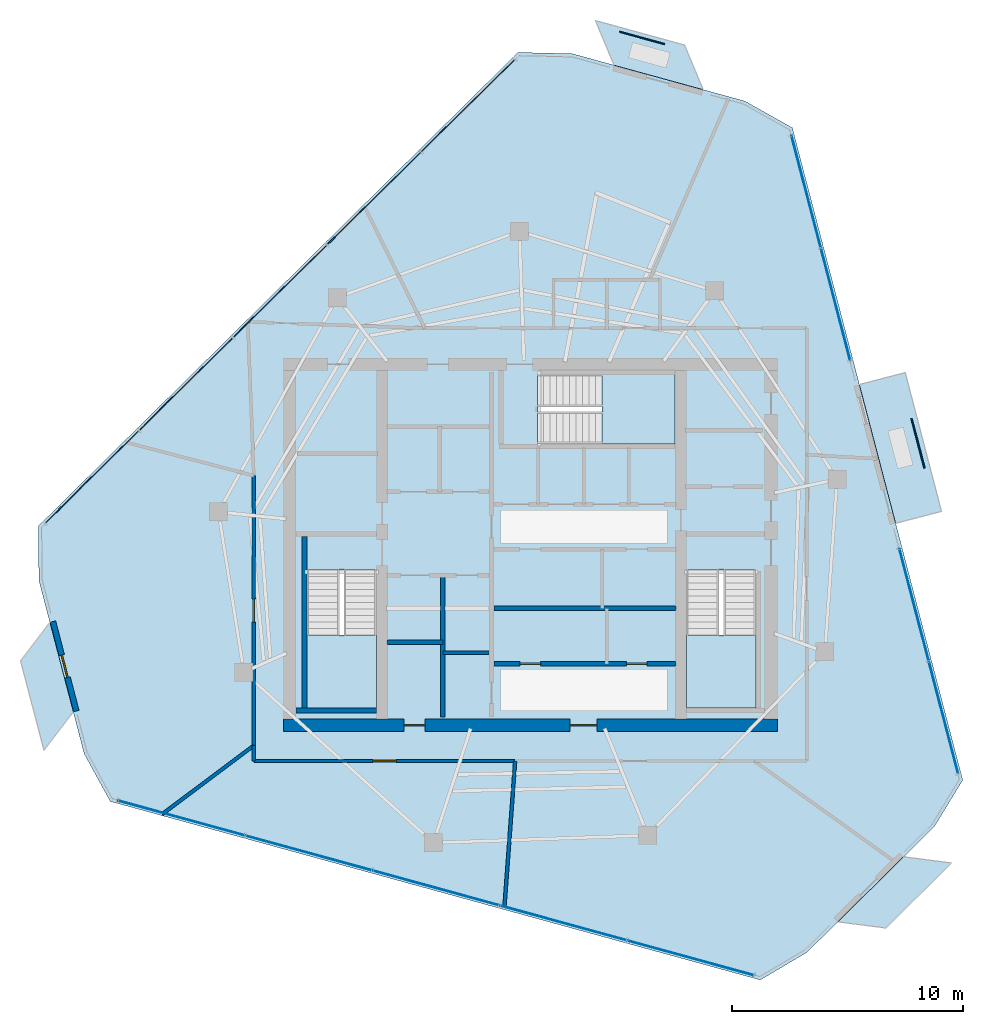
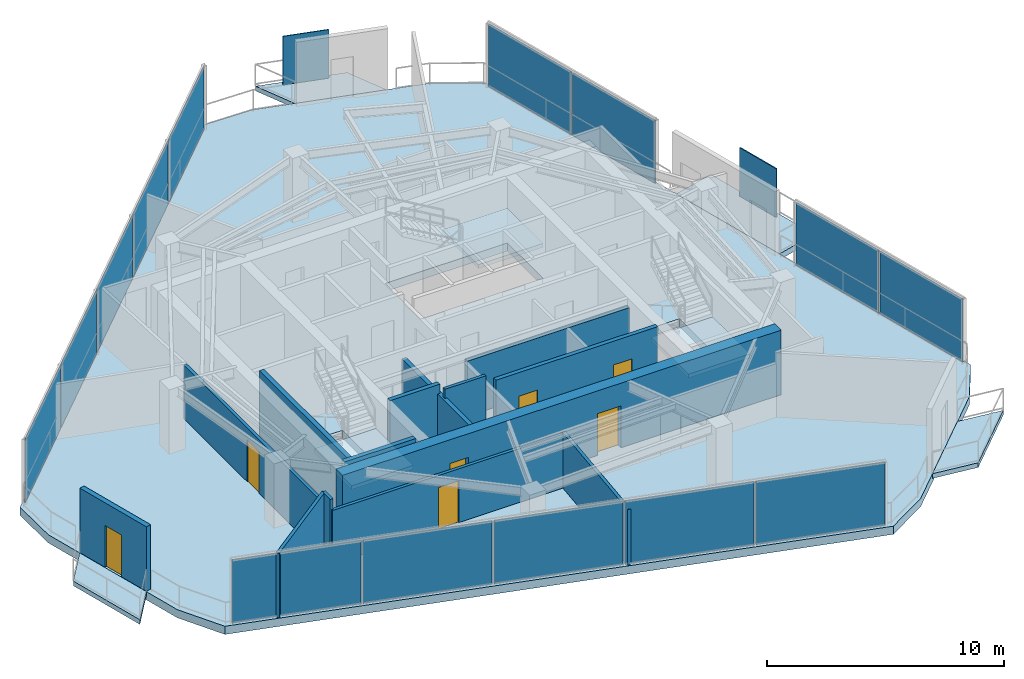
# One storey, part 14 of 19: 16 plates, 14 walls, 8 slabs, 7 doors, 7 openings, 7 elements without a shape of their own.
"""IFC4 building model written with IfcOpenShell, lengths in metres."""

from ifc_helpers import new_model, si_unit, direction, frame, frame_2d, origin, origin_2d, place, context, subcontext, project, spatial, polyline, rectangle, outline, extrude, material, layer, layer_set, type_object, element, fill, aggregate, save


model = new_model("IFC4")

# Units and contexts
model_context = context("Model", 3, precision=1e-05, world=origin(), true_north=direction((0.0, 1.0)))
body_context = subcontext(model_context, "Body", "Model", "MODEL_VIEW")
ifc_project = project(units=[si_unit("LENGTHUNIT", "METRE"), si_unit("AREAUNIT", "SQUARE_METRE"), si_unit("VOLUMEUNIT", "CUBIC_METRE"), si_unit("PLANEANGLEUNIT", "RADIAN"), si_unit("MASSUNIT", "GRAM", prefix="KILO")], contexts=[model_context])

# Site, building, storey
site_placement = place(None, origin())
site = spatial("IfcSite", under=ifc_project, at=site_placement, CompositionType="ELEMENT")
building_placement = place(site_placement, origin())
building = spatial("IfcBuilding", under=site, at=building_placement, Name="Qarnah Convention Tower", CompositionType="ELEMENT")
storey_placement = place(building_placement, frame((0.0, 0.0, 235.5)))
storey = spatial("IfcBuildingStorey", under=building, at=storey_placement, Name="L63", CompositionType="ELEMENT", Elevation=235.5)

# Curtain wall, plates
ifc_material_1 = material(Name="Tempered Low-E dark glass", Category="glass")
ifc_layer_1 = layer(ifc_material_1, 0.176025390625)
ifc_layer_set_1 = layer_set([ifc_layer_1], Name="Tempered Low-E dark glass")
curtain_wall_type = type_object("IfcCurtainWallType", Name="CWS-05", PredefinedType="NOTDEFINED", material=ifc_layer_set_1)
curtain_wall_1_placement = place(storey_placement, origin())
curtain_wall_1 = element("IfcCurtainWall", 1, at=curtain_wall_1_placement, inside=storey, type_object=curtain_wall_type, Name="L63 unitised curtain wall CW-L63-F1", PredefinedType="NOTDEFINED")
ifc_layer_2 = layer(ifc_material_1, 0.035888671875)
ifc_layer_set_2 = layer_set([ifc_layer_2], Name="Tempered Low-E dark glass")
plate_type_1 = type_object("IfcPlateType", Name="PNL-T5", PredefinedType="CURTAIN_PANEL", material=ifc_layer_set_2)
plate_1_placement = place(storey_placement, frame((44.129638671875, 8.536865234375, 0.0400390625), z_axis=(0.0, 0.0, 1.0), x_axis=(-0.964280174079, 0.264884400972, 0.0)))
plate_1 = element("IfcPlate", 2, at=plate_1_placement, type_object=plate_type_1, Name="CW-L63-F1 curtain panel 1.1", PredefinedType="CURTAIN_PANEL", context=body_context, shape_type="SweptSolid", body=[
    extrude(rectangle(XDim=5.626708984375, YDim=0.035888671875, at=origin_2d()), origin(), (0.0, 0.0, 1.0), 3.239990234375),
])
plate_2_placement = place(storey_placement, frame((38.626708984375, 10.04833984375, 0.0400390625), z_axis=(0.0, 0.0, 1.0), x_axis=(-0.964280174079, 0.264884400972, 0.0)))
plate_2 = element("IfcPlate", 3, at=plate_2_placement, type_object=plate_type_1, Name="CW-L63-F1 curtain panel 2.1", PredefinedType="CURTAIN_PANEL", context=body_context, shape_type="SweptSolid", body=[
    extrude(rectangle(XDim=5.626708984375, YDim=0.035888671875, at=origin_2d()), origin(), (0.0, 0.0, 1.0), 3.239990234375),
])
plate_3_placement = place(storey_placement, frame((33.1240234375, 11.56005859375, 0.0400390625), z_axis=(0.0, 0.0, 1.0), x_axis=(-0.964280174079, 0.264884400972, 0.0)))
plate_3 = element("IfcPlate", 4, at=plate_3_placement, type_object=plate_type_1, Name="CW-L63-F1 curtain panel 3.1", PredefinedType="CURTAIN_PANEL", context=body_context, shape_type="SweptSolid", body=[
    extrude(rectangle(XDim=5.626708984375, YDim=0.035888671875, at=origin_2d()), origin(), (0.0, 0.0, 1.0), 3.239990234375),
])
plate_4_placement = place(storey_placement, frame((27.62109375, 13.071533203125, 0.0400390625), z_axis=(0.0, 0.0, 1.0), x_axis=(-0.964280174079, 0.264884400972, 0.0)))
plate_4 = element("IfcPlate", 5, at=plate_4_placement, type_object=plate_type_1, Name="CW-L63-F1 curtain panel 4.1", PredefinedType="CURTAIN_PANEL", context=body_context, shape_type="SweptSolid", body=[
    extrude(rectangle(XDim=5.626708984375, YDim=0.035888671875, at=origin_2d()), origin(), (0.0, 0.0, 1.0), 3.239990234375),
])
plate_5_placement = place(storey_placement, frame((22.118408203125, 14.583251953125, 0.0400390625), z_axis=(0.0, 0.0, 1.0), x_axis=(-0.964280174079, 0.264884400972, 0.0)))
plate_5 = element("IfcPlate", 6, at=plate_5_placement, type_object=plate_type_1, Name="CW-L63-F1 curtain panel 5.1", PredefinedType="CURTAIN_PANEL", context=body_context, shape_type="SweptSolid", body=[
    extrude(rectangle(XDim=5.626708984375, YDim=0.035888671875, at=origin_2d()), origin(), (0.0, 0.0, 1.0), 3.239990234375),
])
aggregate(curtain_wall_1, [plate_1, plate_2, plate_3, plate_4, plate_5])

curtain_wall_2_placement = place(storey_placement, origin())
curtain_wall_2 = element("IfcCurtainWall", 7, at=curtain_wall_2_placement, inside=storey, type_object=curtain_wall_type, Name="L63 unitised curtain wall CW-L63-F2", PredefinedType="NOTDEFINED")
plate_6_placement = place(storey_placement, frame((18.26611328125, 29.330810546875, 0.0400390625), z_axis=(0.0, 0.0, 1.0), x_axis=(0.711543869216, 0.702641674099, 0.0)))
plate_6 = element("IfcPlate", 8, at=plate_6_placement, type_object=plate_type_1, Name="CW-L63-F2 curtain panel 1.1", PredefinedType="CURTAIN_PANEL", context=body_context, shape_type="SweptSolid", body=[
    extrude(rectangle(XDim=5.62646484375, YDim=0.035888671875, at=origin_2d()), origin(), (0.0, 0.0, 1.0), 3.239990234375),
])
plate_7_placement = place(storey_placement, frame((22.32666015625, 33.34033203125, 0.0400390625), z_axis=(0.0, 0.0, 1.0), x_axis=(0.711543869216, 0.702641674099, 0.0)))
plate_7 = element("IfcPlate", 9, at=plate_7_placement, type_object=plate_type_1, Name="CW-L63-F2 curtain panel 2.1", PredefinedType="CURTAIN_PANEL", context=body_context, shape_type="SweptSolid", body=[
    extrude(rectangle(XDim=5.62646484375, YDim=0.035888671875, at=origin_2d()), origin(), (0.0, 0.0, 1.0), 3.239990234375),
])
plate_8_placement = place(storey_placement, frame((26.386962890625, 37.35009765625, 0.0400390625), z_axis=(0.0, 0.0, 1.0), x_axis=(0.711543869216, 0.702641674099, 0.0)))
plate_8 = element("IfcPlate", 10, at=plate_8_placement, type_object=plate_type_1, Name="CW-L63-F2 curtain panel 3.1", PredefinedType="CURTAIN_PANEL", context=body_context, shape_type="SweptSolid", body=[
    extrude(rectangle(XDim=5.62646484375, YDim=0.035888671875, at=origin_2d()), origin(), (0.0, 0.0, 1.0), 3.239990234375),
])
plate_9_placement = place(storey_placement, frame((30.447509765625, 41.359619140625, 0.0400390625), z_axis=(0.0, 0.0, 1.0), x_axis=(0.711543869216, 0.702641674099, 0.0)))
plate_9 = element("IfcPlate", 11, at=plate_9_placement, type_object=plate_type_1, Name="CW-L63-F2 curtain panel 4.1", PredefinedType="CURTAIN_PANEL", context=body_context, shape_type="SweptSolid", body=[
    extrude(rectangle(XDim=5.62646484375, YDim=0.035888671875, at=origin_2d()), origin(), (0.0, 0.0, 1.0), 3.239990234375),
])
plate_10_placement = place(storey_placement, frame((34.5078125, 45.369140625, 0.0400390625), z_axis=(0.0, 0.0, 1.0), x_axis=(0.711543869216, 0.702641674099, 0.0)))
plate_10 = element("IfcPlate", 12, at=plate_10_placement, type_object=plate_type_1, Name="CW-L63-F2 curtain panel 5.1", PredefinedType="CURTAIN_PANEL", context=body_context, shape_type="SweptSolid", body=[
    extrude(rectangle(XDim=5.62646484375, YDim=0.035888671875, at=origin_2d()), origin(), (0.0, 0.0, 1.0), 3.239990234375),
])
aggregate(curtain_wall_2, [plate_6, plate_7, plate_8, plate_9, plate_10])

curtain_wall_3_placement = place(storey_placement, origin())
curtain_wall_3 = element("IfcCurtainWall", 13, at=curtain_wall_3_placement, inside=storey, type_object=curtain_wall_type, Name="L63 unitised curtain wall CW-L63-F3", PredefinedType="NOTDEFINED")
plate_11_placement = place(storey_placement, frame((49.120849609375, 41.654296875, 0.0400390625), z_axis=(0.0, 0.0, 1.0), x_axis=(0.252724823832, -0.967538197395, 0.0)))
plate_11 = element("IfcPlate", 14, at=plate_11_placement, type_object=plate_type_1, Name="CW-L63-F3 curtain panel 1.1", PredefinedType="CURTAIN_PANEL", context=body_context, shape_type="SweptSolid", body=[
    extrude(rectangle(XDim=4.958984375, YDim=0.035888671875, at=origin_2d()), origin(), (0.0, 0.0, 1.0), 3.239990234375),
])
plate_12_placement = place(storey_placement, frame((50.394287109375, 36.77880859375, 0.0400390625), z_axis=(0.0, 0.0, 1.0), x_axis=(0.252724823832, -0.967538197395, 0.0)))
plate_12 = element("IfcPlate", 15, at=plate_12_placement, type_object=plate_type_1, Name="CW-L63-F3 curtain panel 2.1", PredefinedType="CURTAIN_PANEL", context=body_context, shape_type="SweptSolid", body=[
    extrude(rectangle(XDim=4.958984375, YDim=0.035888671875, at=origin_2d()), origin(), (0.0, 0.0, 1.0), 3.239990234375),
])
aggregate(curtain_wall_3, [plate_11, plate_12])

curtain_wall_4_placement = place(storey_placement, origin())
curtain_wall_4 = element("IfcCurtainWall", 16, at=curtain_wall_4_placement, inside=storey, type_object=curtain_wall_type, Name="L63 unitised curtain wall CW-L63-F4", PredefinedType="NOTDEFINED")
plate_13_placement = place(storey_placement, frame((53.78466796875, 23.80029296875, 0.0400390625), z_axis=(0.0, 0.0, 1.0), x_axis=(0.252724823832, -0.967538197395, 0.0)))
plate_13 = element("IfcPlate", 17, at=plate_13_placement, type_object=plate_type_1, Name="CW-L63-F4 curtain panel 1.1", PredefinedType="CURTAIN_PANEL", context=body_context, shape_type="SweptSolid", body=[
    extrude(rectangle(XDim=4.958984375, YDim=0.035888671875, at=origin_2d()), origin(), (0.0, 0.0, 1.0), 3.239990234375),
])
plate_14_placement = place(storey_placement, frame((55.058349609375, 18.9248046875, 0.0400390625), z_axis=(0.0, 0.0, 1.0), x_axis=(0.252724823832, -0.967538197395, 0.0)))
plate_14 = element("IfcPlate", 18, at=plate_14_placement, type_object=plate_type_1, Name="CW-L63-F4 curtain panel 2.1", PredefinedType="CURTAIN_PANEL", context=body_context, shape_type="SweptSolid", body=[
    extrude(rectangle(XDim=4.958984375, YDim=0.035888671875, at=origin_2d()), origin(), (0.0, 0.0, 1.0), 3.239990234375),
])
aggregate(curtain_wall_4, [plate_13, plate_14])

# Plates
ifc_material_2 = material(Name="Black anodised aluminium", Category="aluminium")
ifc_layer_3 = layer(ifc_material_2, 0.044921875)
ifc_layer_set_3 = layer_set([ifc_layer_3], Name="Black anodised aluminium")
plate_type_2 = type_object("IfcPlateType", Name="SCR-BAL-18", PredefinedType="USERDEFINED", material=ifc_layer_set_3)
plate_15_placement = place(storey_placement, frame((42.031005859375, 48.2958984375, 0.0), z_axis=(0.0, 0.0, 1.0), x_axis=(0.96431245468, -0.264766859234, 0.0)))
element("IfcPlate", 19, at=plate_15_placement, inside=storey, type_object=plate_type_2, Name="L63 perforated desert solar screen BAL-L63-C1", ObjectType="SCREEN", PredefinedType="USERDEFINED", context=body_context, shape_type="SweptSolid", body=[
    extrude(rectangle(XDim=2.0, YDim=0.044921875, at=origin_2d()), origin(), (0.0, 0.0, 1.0), 2.5),
])
ifc_layer_4 = layer(ifc_material_2, 0.054931640625)
ifc_layer_set_4 = layer_set([ifc_layer_4], Name="Black anodised aluminium")
plate_type_3 = type_object("IfcPlateType", Name="SCR-SKG-24", PredefinedType="USERDEFINED", material=ifc_layer_set_4)
plate_16_placement = place(storey_placement, frame((53.952880859375, 30.77587890625, 0.0), z_axis=(0.0, 0.0, 1.0), x_axis=(0.252770215076, -0.967526339884, 0.0)))
element("IfcPlate", 20, at=plate_16_placement, inside=storey, type_object=plate_type_3, Name="L63 perforated desert solar screen SG-L63", ObjectType="SCREEN", PredefinedType="USERDEFINED", context=body_context, shape_type="SweptSolid", body=[
    extrude(rectangle(XDim=2.199951171875, YDim=0.054931640625, at=origin_2d()), origin(), (0.0, 0.0, 1.0), 2.5),
])

# Slabs
ifc_material_3 = material(Name="Concrete C45/55", Category="concrete")
ifc_layer_5 = layer(ifc_material_3, 0.239990234375)
ifc_layer_set_5 = layer_set([ifc_layer_5], Name="Concrete C45/55")
slab_type_1 = type_object("IfcSlabType", Name="SLB-BAL-240", PredefinedType="USERDEFINED", material=ifc_layer_set_5)
slab_1_placement = place(storey_placement, frame((0.0, 0.0, -0.239990234375)))
element("IfcSlab", 21, at=slab_1_placement, inside=storey, type_object=slab_type_1, Name="L63 cantilevered balcony slab BAL-L63-C1", ObjectType="BALCONY", PredefinedType="USERDEFINED", context=body_context, shape_type="SweptSolid", body=[
    extrude(outline(polyline([(40.010009765625, 49.047119140625), (43.866943359375, 47.988037109375), (44.672119140625, 46.056884765625), (40.81494140625, 47.115966796875), (40.010009765625, 49.047119140625)])), origin(), (0.0, 0.0, 1.0), 0.239990234375),
])
slab_2_placement = place(storey_placement, frame((0.0, 0.0, -0.239990234375)))
element("IfcSlab", 22, at=slab_2_placement, inside=storey, type_object=slab_type_1, Name="L63 cantilevered balcony slab BAL-L63-C2", ObjectType="BALCONY", PredefinedType="USERDEFINED", context=body_context, shape_type="SweptSolid", body=[
    extrude(outline(polyline([(16.181884765625, 17.510009765625), (15.1708984375, 21.3798828125), (16.44091796875, 23.04296875), (17.451904296875, 19.174072265625), (16.181884765625, 17.510009765625)])), origin(), (0.0, 0.0, 1.0), 0.239990234375),
])
slab_3_placement = place(storey_placement, frame((0.0, 0.0, -0.239990234375)))
element("IfcSlab", 23, at=slab_3_placement, inside=storey, type_object=slab_type_1, Name="L63 cantilevered balcony slab BAL-L63-C3", ObjectType="BALCONY", PredefinedType="USERDEFINED", context=body_context, shape_type="SweptSolid", body=[
    extrude(outline(polyline([(55.407958984375, 12.64306640625), (52.56201171875, 9.83203125), (50.486083984375, 10.10009765625), (53.33203125, 12.910888671875), (55.407958984375, 12.64306640625)])), origin(), (0.0, 0.0, 1.0), 0.239990234375),
])

# Stair, slab
ifc_material_4 = material(Name="Concrete C50/60", Category="concrete")
stair_type = type_object("IfcStairType", Name="STR-OFF", PredefinedType="HALF_TURN_STAIR", material=ifc_material_4)
stair_1_placement = place(storey_placement, origin())
stair_1 = element("IfcStair", 24, at=stair_1_placement, inside=storey, type_object=stair_type, Name="L63 Core exit stair ST-1", PredefinedType="HALF_TURN_STAIR")
ifc_layer_6 = layer(ifc_material_4, 0.199951171875)
ifc_layer_set_6 = layer_set([ifc_layer_6], Name="Concrete C50/60")
slab_type_2 = type_object("IfcSlabType", Name="SLB-LANDING-200", PredefinedType="LANDING", material=ifc_layer_set_6)
slab_4_placement = place(storey_placement, frame((0.0, 0.0, 1.60009765625)))
slab_4 = element("IfcSlab", 25, at=slab_4_placement, type_object=slab_type_2, Name="ST-1 landing 1", PredefinedType="LANDING", context=body_context, shape_type="SweptSolid", body=[
    extrude(outline(polyline([(27.550048828125, 22.5), (27.550048828125, 19.35009765625), (30.550048828125, 19.35009765625), (30.550048828125, 22.5), (27.550048828125, 22.5)])), origin(), (0.0, 0.0, 1.0), 0.199951171875),
])
aggregate(stair_1, [slab_4])

stair_2_placement = place(storey_placement, origin())
stair_2 = element("IfcStair", 26, at=stair_2_placement, inside=storey, type_object=stair_type, Name="L63 Core exit stair ST-2", PredefinedType="HALF_TURN_STAIR")
slab_5_placement = place(storey_placement, frame((0.0, 0.0, 1.60009765625)))
slab_5 = element("IfcSlab", 27, at=slab_5_placement, type_object=slab_type_2, Name="ST-2 landing 1", PredefinedType="LANDING", context=body_context, shape_type="SweptSolid", body=[
    extrude(outline(polyline([(43.949951171875, 22.5), (43.949951171875, 19.35009765625), (46.949951171875, 19.35009765625), (46.949951171875, 22.5), (43.949951171875, 22.5)])), origin(), (0.0, 0.0, 1.0), 0.199951171875),
])
aggregate(stair_2, [slab_5])

stair_3_placement = place(storey_placement, origin())
stair_3 = element("IfcStair", 28, at=stair_3_placement, inside=storey, type_object=stair_type, Name="L63 Core exit stair ST-3", PredefinedType="HALF_TURN_STAIR")
slab_6_placement = place(storey_placement, frame((0.0, 0.0, 1.60009765625)))
slab_6 = element("IfcSlab", 29, at=slab_6_placement, type_object=slab_type_2, Name="ST-3 landing 1", PredefinedType="LANDING", context=body_context, shape_type="SweptSolid", body=[
    extrude(outline(polyline([(40.300048828125, 30.75), (43.449951171875, 30.75), (43.449951171875, 33.75), (40.300048828125, 33.75), (40.300048828125, 30.75)])), origin(), (0.0, 0.0, 1.0), 0.199951171875),
])
aggregate(stair_3, [slab_6])

# Slabs
ifc_layer_7 = layer(ifc_material_4, 0.300048828125)
ifc_layer_set_7 = layer_set([ifc_layer_7], Name="Concrete C50/60")
slab_type_3 = type_object("IfcSlabType", Name="SLB-SKG-300", PredefinedType="USERDEFINED", material=ifc_layer_set_7)
slab_7_placement = place(storey_placement, frame((0.0, 0.0, -0.300048828125)))
element("IfcSlab", 30, at=slab_7_placement, inside=storey, type_object=slab_type_3, Name="L63 cantilevered balcony slab SG-L63", ObjectType="BALCONY", PredefinedType="USERDEFINED", context=body_context, shape_type="SweptSolid", body=[
    extrude(outline(polyline([(53.402099609375, 33.8359375), (54.968994140625, 27.837890625), (52.985107421875, 27.320068359375), (51.41796875, 33.318115234375), (53.402099609375, 33.8359375)])), origin(), (0.0, 0.0, 1.0), 0.300048828125),
])
ifc_layer_8 = layer(ifc_material_4, 0.419921875)
ifc_layer_set_8 = layer_set([ifc_layer_8], Name="Concrete C50/60")
slab_type_4 = type_object("IfcSlabType", Name="SLB-TRF-420", PredefinedType="FLOOR", material=ifc_layer_set_8)
slab_8_placement = place(storey_placement, frame((0.0, 0.0, -0.419921875)))
element("IfcSlab", 31, at=slab_8_placement, inside=storey, type_object=slab_type_4, Name="L63 structural floor slab", PredefinedType="FLOOR", context=body_context, shape_type="SweptSolid", body=[
    extrude(outline(polyline([(36.6669921875, 47.669921875), (15.93798828125, 27.200927734375), (15.964111328125, 24.85205078125), (17.919921875, 17.364990234375), (19.0458984375, 15.302978515625), (47.137939453125, 7.5859375), (49.158935546875, 8.783935546875), (54.6650390625, 14.220947265625), (55.886962890625, 16.22705078125), (48.52392578125, 44.4130859375), (46.47705078125, 45.56494140625), (39.014892578125, 47.614990234375), (36.6669921875, 47.669921875)]), holes=[polyline([(27.550048828125, 25.300048828125), (27.550048828125, 19.35009765625), (30.550048828125, 19.35009765625), (30.550048828125, 25.300048828125), (27.550048828125, 25.300048828125)]), polyline([(43.949951171875, 25.300048828125), (43.949951171875, 19.35009765625), (46.949951171875, 19.35009765625), (46.949951171875, 25.300048828125), (43.949951171875, 25.300048828125)]), polyline([(37.5, 30.75), (43.449951171875, 30.75), (43.449951171875, 33.75), (37.5, 33.75), (37.5, 30.75)])]), origin(), (0.0, 0.0, 1.0), 0.419921875),
])

# Wall, openings, doors
ifc_material_5 = material(Name="Concrete C60/75", Category="concrete")
ifc_layer_9 = layer(ifc_material_5, 0.550048828125)
ifc_layer_set_9 = layer_set([ifc_layer_9], Name="Concrete C60/75")
wall_type_1 = type_object("IfcWallType", Name="WL-CORE-550", PredefinedType="SHEAR", material=ifc_layer_set_9)
wall_1_placement = place(storey_placement, frame((26.52490234375, 18.60009765625, 0.0), z_axis=(0.0, 0.0, 1.0), x_axis=(1.0, 0.0, 0.0)))
wall_1 = element("IfcWall", 32, at=wall_1_placement, inside=storey, type_object=wall_type_1, Name="L63 core south shear wall", PredefinedType="SHEAR", context=body_context, shape_type="SweptSolid", body=[
    extrude(rectangle(XDim=21.35009765625, YDim=0.550048828125, at=frame_2d((10.675048828125, 0.0))), origin(), (0.0, 0.0, 1.0), 3.320068359375),
])
opening_1_placement = place(wall_1_placement, frame((12.39990234375, 0.0, 0.0)))
opening_1 = element("IfcOpeningElement", 33, at=opening_1_placement, cuts=wall_1, Name="Opening D-6307", PredefinedType="OPENING", context=body_context, shape_type="SweptSolid", body=[
    extrude(rectangle(XDim=1.14990234375, YDim=2.14990234375, at=frame_2d((0.574951171875, 1.074951171875))), frame((0.0, 0.284912109375, 0.0), z_axis=(0.0, -1.0, 0.0), x_axis=(1.0, 0.0, 0.0)), (0.0, 0.0, 1.0), 0.570068359375),
])
opening_2_placement = place(wall_1_placement, frame((5.22509765625, 0.0, 0.0)))
opening_2 = element("IfcOpeningElement", 34, at=opening_2_placement, cuts=wall_1, Name="Opening D-6313", PredefinedType="OPENING", context=body_context, shape_type="SweptSolid", body=[
    extrude(rectangle(XDim=0.89990234375, YDim=2.10009765625, at=frame_2d((0.449951171875, 1.050048828125))), frame((0.0, 0.284912109375, 0.0), z_axis=(0.0, -1.0, 0.0), x_axis=(1.0, 0.0, 0.0)), (0.0, 0.0, 1.0), 0.570068359375),
])
ifc_material_6 = material(Name="Structural steel S355JR", Category="steel")
door_type_1 = type_object("IfcDoorType", Name="DT-LOBBY-1150", OperationType="NOTDEFINED", PredefinedType="DOOR", material=ifc_material_6)
door_1_placement = place(opening_1_placement, origin())
door_1 = element("IfcDoor", 35, at=door_1_placement, inside=storey, type_object=door_type_1, Name="Door D-6307", OperationType="SINGLE_SWING_RIGHT", OverallHeight=2.14990234375, OverallWidth=1.14990234375, PredefinedType="DOOR", context=body_context, shape_type="SweptSolid", body=[
    extrude(rectangle(XDim=1.14990234375, YDim=2.14990234375, at=frame_2d((0.574951171875, 1.074951171875))), frame((0.0, 0.02490234375, 0.0), z_axis=(0.0, -1.0, 0.0), x_axis=(1.0, 0.0, 0.0)), (0.0, 0.0, 1.0), 0.050048828125),
])
fill(opening_1, door_1)
door_type_2 = type_object("IfcDoorType", Name="DT-RISER-900", OperationType="NOTDEFINED", PredefinedType="DOOR", material=ifc_material_6)
door_2_placement = place(opening_2_placement, origin())
door_2 = element("IfcDoor", 36, at=door_2_placement, inside=storey, type_object=door_type_2, Name="Door D-6313", OperationType="SINGLE_SWING_RIGHT", OverallHeight=2.10009765625, OverallWidth=0.89990234375, PredefinedType="DOOR", context=body_context, shape_type="SweptSolid", body=[
    extrude(rectangle(XDim=0.89990234375, YDim=2.10009765625, at=frame_2d((0.449951171875, 1.050048828125))), frame((0.0, 0.02490234375, 0.0), z_axis=(0.0, -1.0, 0.0), x_axis=(1.0, 0.0, 0.0)), (0.0, 0.0, 1.0), 0.050048828125),
])
fill(opening_2, door_2)

# Walls
ifc_layer_10 = layer(ifc_material_3, 0.199951171875)
ifc_layer_set_10 = layer_set([ifc_layer_10], Name="Concrete C45/55")
wall_type_2 = type_object("IfcWallType", Name="WL-CORE-PART-200", PredefinedType="SOLIDWALL", material=ifc_layer_set_10)
wall_2_placement = place(storey_placement, frame((33.419921875, 18.949951171875, 0.0), z_axis=(0.0, 0.0, 1.0), x_axis=(0.0, 1.0, 0.0)))
element("IfcWall", 37, at=wall_2_placement, inside=storey, type_object=wall_type_2, Name="L63 interior wall IW-L63-SVLE", PredefinedType="SOLIDWALL", context=body_context, shape_type="SweptSolid", body=[
    extrude(rectangle(XDim=6.130126953125, YDim=0.199951171875, at=frame_2d((3.06494140625, 0.0))), origin(), (0.0, 0.0, 1.0), 2.841064453125),
])
wall_3_placement = place(storey_placement, frame((31.0, 22.179931640625, 0.0), z_axis=(0.0, 0.0, 1.0), x_axis=(1.0, 0.0, 0.0)))
element("IfcWall", 38, at=wall_3_placement, inside=storey, type_object=wall_type_2, Name="L63 interior wall IW-L63-SVLS", PredefinedType="SOLIDWALL", context=body_context, shape_type="SweptSolid", body=[
    extrude(rectangle(XDim=2.419921875, YDim=0.199951171875, at=frame_2d((1.2099609375, 0.0))), origin(), (0.0, 0.0, 1.0), 3.320068359375),
])
wall_4_placement = place(storey_placement, frame((35.6201171875, 23.64990234375, 0.0), z_axis=(0.0, 0.0, 1.0), x_axis=(1.0, 0.0, 0.0)))
element("IfcWall", 39, at=wall_4_placement, inside=storey, type_object=wall_type_2, Name="L63 interior wall IW-L63-PMPL", PredefinedType="SOLIDWALL", context=body_context, shape_type="SweptSolid", body=[
    extrude(rectangle(XDim=7.8798828125, YDim=0.199951171875, at=frame_2d((3.93994140625, 0.0))), origin(), (0.0, 0.0, 1.0), 2.841064453125),
])

# Wall, openings, doors
wall_5_placement = place(storey_placement, frame((35.6201171875, 21.25, 0.0), z_axis=(0.0, 0.0, 1.0), x_axis=(1.0, 0.0, 0.0)))
wall_5 = element("IfcWall", 40, at=wall_5_placement, inside=storey, type_object=wall_type_2, Name="L63 interior wall IW-L63-PLS", PredefinedType="SOLIDWALL", context=body_context, shape_type="SweptSolid", body=[
    extrude(rectangle(XDim=7.8798828125, YDim=0.199951171875, at=frame_2d((3.93994140625, 0.0))), origin(), (0.0, 0.0, 1.0), 3.320068359375),
])
opening_3_placement = place(wall_5_placement, frame((1.1298828125, 0.0, 0.0)))
opening_3 = element("IfcOpeningElement", 41, at=opening_3_placement, cuts=wall_5, Name="Opening D-6316", PredefinedType="OPENING", context=body_context, shape_type="SweptSolid", body=[
    extrude(rectangle(XDim=0.89990234375, YDim=2.10009765625, at=frame_2d((0.449951171875, 1.050048828125))), frame((0.0, 0.10986328125, 0.0), z_axis=(0.0, -1.0, 0.0), x_axis=(1.0, 0.0, 0.0)), (0.0, 0.0, 1.0), 0.219970703125),
])
opening_4_placement = place(wall_5_placement, frame((5.72998046875, 0.0, 0.0)))
opening_4 = element("IfcOpeningElement", 42, at=opening_4_placement, cuts=wall_5, Name="Opening D-6317", PredefinedType="OPENING", context=body_context, shape_type="SweptSolid", body=[
    extrude(rectangle(XDim=0.89990234375, YDim=2.10009765625, at=frame_2d((0.449951171875, 1.050048828125))), frame((0.0, 0.10986328125, 0.0), z_axis=(0.0, -1.0, 0.0), x_axis=(1.0, 0.0, 0.0)), (0.0, 0.0, 1.0), 0.219970703125),
])
door_3_placement = place(opening_3_placement, origin())
door_3 = element("IfcDoor", 43, at=door_3_placement, inside=storey, type_object=door_type_2, Name="Door D-6316", OperationType="SINGLE_SWING_LEFT", OverallHeight=2.10009765625, OverallWidth=0.89990234375, PredefinedType="DOOR", context=body_context, shape_type="SweptSolid", body=[
    extrude(rectangle(XDim=0.89990234375, YDim=2.10009765625, at=frame_2d((0.449951171875, 1.050048828125))), frame((0.0, 0.02490234375, 0.0), z_axis=(0.0, -1.0, 0.0), x_axis=(1.0, 0.0, 0.0)), (0.0, 0.0, 1.0), 0.050048828125),
])
fill(opening_3, door_3)
door_4_placement = place(opening_4_placement, origin())
door_4 = element("IfcDoor", 44, at=door_4_placement, inside=storey, type_object=door_type_2, Name="Door D-6317", OperationType="SINGLE_SWING_RIGHT", OverallHeight=2.10009765625, OverallWidth=0.89990234375, PredefinedType="DOOR", context=body_context, shape_type="SweptSolid", body=[
    extrude(rectangle(XDim=0.89990234375, YDim=2.10009765625, at=frame_2d((0.449951171875, 1.050048828125))), frame((0.0, 0.02490234375, 0.0), z_axis=(0.0, -1.0, 0.0), x_axis=(1.0, 0.0, 0.0)), (0.0, 0.0, 1.0), 0.050048828125),
])
fill(opening_4, door_4)

# Walls
ifc_layer_11 = layer(ifc_material_5, 0.219970703125)
ifc_layer_set_11 = layer_set([ifc_layer_11], Name="Concrete C60/75")
wall_type_3 = type_object("IfcWallType", Name="WL-CORE-STAIR-220", PredefinedType="SHEAR", material=ifc_layer_set_11)
wall_6_placement = place(storey_placement, frame((27.43994140625, 19.35009765625, 0.0), z_axis=(0.0, 0.0, 1.0), x_axis=(0.0, 1.0, 0.0)))
element("IfcWall", 45, at=wall_6_placement, inside=storey, type_object=wall_type_3, Name="L63 stair shaft shear wall SW-L63-ST1W", PredefinedType="SHEAR", context=body_context, shape_type="SweptSolid", body=[
    extrude(rectangle(XDim=7.39990234375, YDim=0.219970703125, at=frame_2d((3.699951171875, 0.0))), origin(), (0.0, 0.0, 1.0), 3.320068359375),
])
wall_7_placement = place(storey_placement, frame((27.074951171875, 19.239990234375, 0.0), z_axis=(0.0, 0.0, 1.0), x_axis=(1.0, 0.0, 0.0)))
element("IfcWall", 46, at=wall_7_placement, inside=storey, type_object=wall_type_3, Name="L63 stair shaft shear wall SW-L63-ST1S", PredefinedType="SHEAR", context=body_context, shape_type="SweptSolid", body=[
    extrude(rectangle(XDim=3.47509765625, YDim=0.219970703125, at=frame_2d((1.737548828125, 0.0))), origin(), (0.0, 0.0, 1.0), 3.320068359375),
])

# Wall, opening, door
ifc_material_7 = material(Name="Precast concrete C45/55", Category="concrete")
ifc_layer_12 = layer(ifc_material_7, 0.239990234375)
ifc_layer_set_12 = layer_set([ifc_layer_12], Name="Precast concrete C45/55")
wall_type_4 = type_object("IfcWallType", Name="WL-EXT-BAL-240", PredefinedType="SOLIDWALL", material=ifc_layer_set_12)
wall_8_placement = place(storey_placement, frame((17.5830078125, 19.2080078125, 0.0), z_axis=(0.0, 0.0, 1.0), x_axis=(-0.252687679684, 0.967547898833, 0.0)))
wall_8 = element("IfcWall", 47, at=wall_8_placement, inside=storey, type_object=wall_type_4, Name="L63 loggia threshold wall BAL-L63-C2", PredefinedType="SOLIDWALL", context=body_context, shape_type="SweptSolid", body=[
    extrude(rectangle(XDim=4.0009765625, YDim=0.239990234375, at=frame_2d((2.00048828125, 0.0))), origin(), (0.0, 0.0, 1.0), 3.320068359375),
])
opening_5_placement = place(wall_8_placement, frame((1.5, 0.0, 0.0)))
opening_5 = element("IfcOpeningElement", 48, at=opening_5_placement, cuts=wall_8, Name="Opening BD-6302", PredefinedType="OPENING", context=body_context, shape_type="SweptSolid", body=[
    extrude(rectangle(XDim=1.0, YDim=2.14990234375, at=frame_2d((0.5, 1.074951171875))), frame((0.0, 0.1298828125, 0.0), z_axis=(0.0, -1.0, 0.0), x_axis=(1.0, 0.0, 0.0)), (0.0, 0.0, 1.0), 0.260009765625),
])
door_type_3 = type_object("IfcDoorType", Name="DT-BAL-1000", OperationType="NOTDEFINED", PredefinedType="DOOR", material=ifc_material_2)
door_5_placement = place(opening_5_placement, origin())
door_5 = element("IfcDoor", 49, at=door_5_placement, inside=storey, type_object=door_type_3, Name="L63 balcony terrace door BAL-L63-C2", OperationType="SINGLE_SWING_RIGHT", OverallHeight=2.14990234375, OverallWidth=1.0, PredefinedType="DOOR", context=body_context, shape_type="SweptSolid", body=[
    extrude(rectangle(XDim=1.0, YDim=2.14990234375, at=frame_2d((0.5, 1.074951171875))), frame((0.0, 0.02490234375, 0.0), z_axis=(0.0, -1.0, 0.0), x_axis=(1.0, 0.0, 0.0)), (0.0, 0.0, 1.0), 0.050048828125),
])
fill(opening_5, door_5)

# Walls
ifc_material_8 = material(Name="Gypsum partition board")
ifc_layer_13 = layer(ifc_material_8, 0.14990234375)
ifc_layer_set_13 = layer_set([ifc_layer_13], Name="Gypsum partition board")
wall_type_5 = type_object("IfcWallType", Name="WL-SUITE-150", PredefinedType="PARTITIONING", material=ifc_layer_set_13)
wall_9_placement = place(storey_placement, frame((33.419921875, 21.719970703125, 0.0), z_axis=(0.0, 0.0, 1.0), x_axis=(1.0, 0.0, 0.0)))
element("IfcWall", 50, at=wall_9_placement, inside=storey, type_object=wall_type_5, Name="L63 interior wall IW-L63-CSV1", PredefinedType="PARTITIONING", context=body_context, shape_type="SweptSolid", body=[
    extrude(rectangle(XDim=2.0, YDim=0.14990234375, at=frame_2d((1.0, 0.0))), origin(), (0.0, 0.0, 1.0), 3.320068359375),
])
wall_10_placement = place(storey_placement, frame((21.29296875, 14.7509765625, 0.0), z_axis=(0.0, 0.0, 1.0), x_axis=(0.800071076713, 0.599905219354, 0.0)))
element("IfcWall", 51, at=wall_10_placement, inside=storey, type_object=wall_type_5, Name="L63 interior wall IW-L63-R-17", PredefinedType="PARTITIONING", context=body_context, shape_type="SweptSolid", body=[
    extrude(rectangle(XDim=4.94580078125, YDim=0.14990234375, at=frame_2d((2.472900390625, 0.0))), origin(), (0.0, 0.0, 1.0), 3.320068359375),
])

# Wall, opening, door
wall_11_placement = place(storey_placement, frame((25.25, 17.718017578125, 0.0), z_axis=(0.0, 0.0, 1.0), x_axis=(0.0, 1.0, 0.0)))
wall_11 = element("IfcWall", 52, at=wall_11_placement, inside=storey, type_object=wall_type_5, Name="L63 interior wall IW-L63-R-18", PredefinedType="PARTITIONING", context=body_context, shape_type="SweptSolid", body=[
    extrude(rectangle(XDim=11.660888671875, YDim=0.14990234375, at=frame_2d((5.83056640625, 0.0))), origin(), (0.0, 0.0, 1.0), 2.76904296875),
])
opening_6_placement = place(wall_11_placement, frame((5.3310546875, 0.0, 0.0)))
opening_6 = element("IfcOpeningElement", 53, at=opening_6_placement, cuts=wall_11, Name="Opening D-6325", PredefinedType="OPENING", context=body_context, shape_type="SweptSolid", body=[
    extrude(rectangle(XDim=1.0, YDim=2.14990234375, at=frame_2d((0.5, 1.074951171875))), frame((0.0, 0.0849609375, 0.0), z_axis=(0.0, -1.0, 0.0), x_axis=(1.0, 0.0, 0.0)), (0.0, 0.0, 1.0), 0.169921875),
])
ifc_material_9 = material(Name="Oak timber veneer", Category="wood")
door_type_4 = type_object("IfcDoorType", Name="DT-OFFICE-1000", OperationType="NOTDEFINED", PredefinedType="DOOR", material=ifc_material_9)
door_6_placement = place(opening_6_placement, origin())
door_6 = element("IfcDoor", 54, at=door_6_placement, inside=storey, type_object=door_type_4, Name="Door D-6325", OperationType="SINGLE_SWING_RIGHT", OverallHeight=2.14990234375, OverallWidth=1.0, PredefinedType="DOOR", context=body_context, shape_type="SweptSolid", body=[
    extrude(rectangle(XDim=1.0, YDim=2.14990234375, at=frame_2d((0.5, 1.074951171875))), frame((0.0, 0.02490234375, 0.0), z_axis=(0.0, -1.0, 0.0), x_axis=(1.0, 0.0, 0.0)), (0.0, 0.0, 1.0), 0.050048828125),
])
fill(opening_6, door_6)

# Wall
wall_12_placement = place(storey_placement, frame((36.0791015625, 10.705078125, 0.0), z_axis=(0.0, 0.0, 1.0), x_axis=(0.0733712946, 0.997304694228, 0.0)))
element("IfcWall", 55, at=wall_12_placement, inside=storey, type_object=wall_type_5, Name="L63 interior wall IW-L63-R-19", PredefinedType="PARTITIONING", context=body_context, shape_type="SweptSolid", body=[
    extrude(rectangle(XDim=6.362060546875, YDim=0.14990234375, at=frame_2d((3.18115234375, 0.0))), origin(), (0.0, 0.0, 1.0), 2.844970703125),
])

# Wall, opening, door
wall_13_placement = place(storey_placement, frame((36.5458984375, 17.050048828125, 0.0), z_axis=(0.0, 0.0, 1.0), x_axis=(-1.0, 0.0, 0.0)))
wall_13 = element("IfcWall", 56, at=wall_13_placement, inside=storey, type_object=wall_type_5, Name="L63 interior wall IW-L63-R-20", PredefinedType="PARTITIONING", context=body_context, shape_type="SweptSolid", body=[
    extrude(rectangle(XDim=11.2958984375, YDim=0.14990234375, at=frame_2d((5.64794921875, 0.0))), origin(), (0.0, 0.0, 1.0), 2.76904296875),
])
opening_7_placement = place(wall_13_placement, frame((5.14794921875, 0.0, 0.0)))
opening_7 = element("IfcOpeningElement", 57, at=opening_7_placement, cuts=wall_13, Name="Opening D-6326", PredefinedType="OPENING", context=body_context, shape_type="SweptSolid", body=[
    extrude(rectangle(XDim=1.0, YDim=2.14990234375, at=frame_2d((0.5, 1.074951171875))), frame((0.0, 0.0849609375, 0.0), z_axis=(0.0, -1.0, 0.0), x_axis=(1.0, 0.0, 0.0)), (0.0, 0.0, 1.0), 0.169921875),
])
door_7_placement = place(opening_7_placement, origin())
door_7 = element("IfcDoor", 58, at=door_7_placement, inside=storey, type_object=door_type_4, Name="Door D-6326", OperationType="SINGLE_SWING_LEFT", OverallHeight=2.14990234375, OverallWidth=1.0, PredefinedType="DOOR", context=body_context, shape_type="SweptSolid", body=[
    extrude(rectangle(XDim=1.0, YDim=2.14990234375, at=frame_2d((0.5, 1.074951171875))), frame((0.0, 0.02490234375, 0.0), z_axis=(0.0, -1.0, 0.0), x_axis=(1.0, 0.0, 0.0)), (0.0, 0.0, 1.0), 0.050048828125),
])
fill(opening_7, door_7)

# Wall
wall_14_placement = place(storey_placement, frame((25.25, 17.050048828125, 0.0), z_axis=(0.0, 0.0, 1.0), x_axis=(0.0, 1.0, 0.0)))
element("IfcWall", 59, at=wall_14_placement, inside=storey, type_object=wall_type_5, Name="L63 interior wall IW-L63-R-21", PredefinedType="PARTITIONING", context=body_context, shape_type="SweptSolid", body=[
    extrude(rectangle(XDim=0.66796875, YDim=0.14990234375, at=frame_2d((0.333984375, 0.0))), origin(), (0.0, 0.0, 1.0), 3.320068359375),
])

save(model, "model.ifc")
